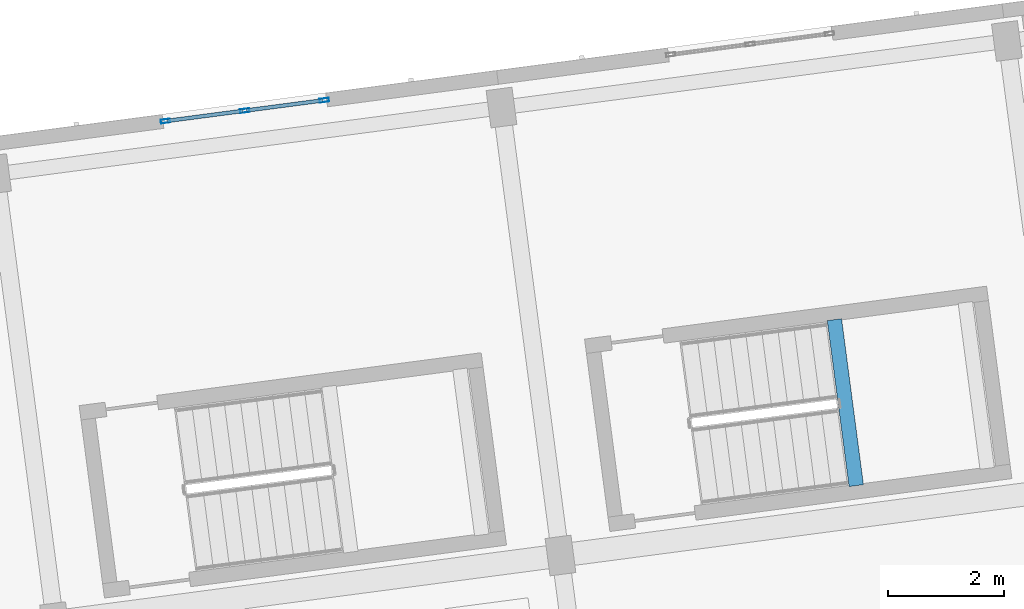
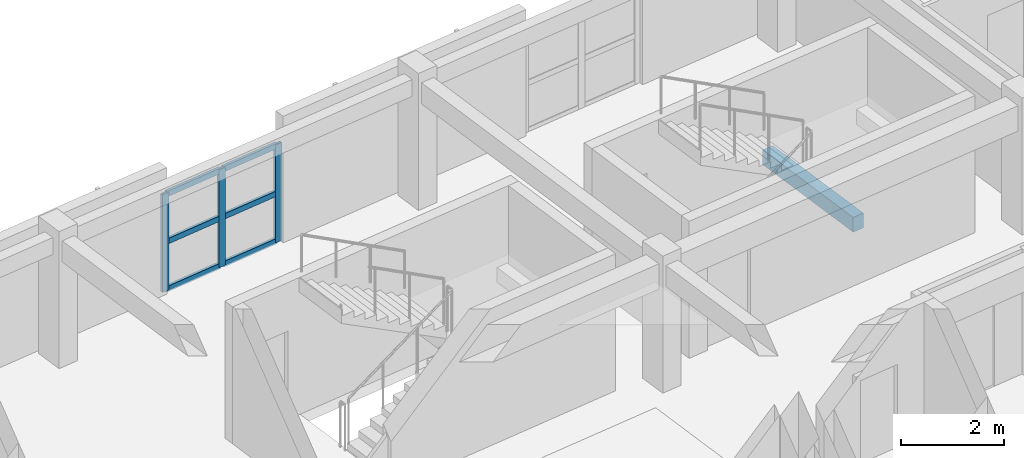
# One storey, part 4 of 31: 9 members, 1 beam, 1 element without a shape of its own.
"""IFC4 building model written with IfcOpenShell, lengths in metres."""

from ifc_helpers import new_model, si_unit, direction, frame, origin, origin_2d, place, context, subcontext, project, spatial, rectangle, hollow_rectangle, extrude, material, material_profile, profile_set, type_object, element, aggregate, save


model = new_model("IFC4")

# Units and contexts
model_context = context("Model", 3, precision=1e-05, world=origin(), true_north=direction((0.0, 1.0)))
body_context = subcontext(model_context, "Body", "Model", "MODEL_VIEW")
ifc_project = project(units=[si_unit("LENGTHUNIT", "METRE"), si_unit("AREAUNIT", "SQUARE_METRE"), si_unit("VOLUMEUNIT", "CUBIC_METRE"), si_unit("PLANEANGLEUNIT", "RADIAN"), si_unit("MASSUNIT", "GRAM", prefix="KILO")], contexts=[model_context])

# Site, building, storey
site_placement = place(None, origin())
site = spatial("IfcSite", under=ifc_project, at=site_placement, CompositionType="ELEMENT")
building_placement = place(site_placement, origin())
building = spatial("IfcBuilding", under=site, at=building_placement, Name="Kestramere Prow Commons", CompositionType="ELEMENT")
storey_placement = place(building_placement, frame((0.0, 0.0, 37.64990234375)))
storey = spatial("IfcBuildingStorey", under=building, at=storey_placement, Name="L11", CompositionType="ELEMENT", Elevation=37.64990234375)

# Beam
ifc_material_1 = material(Name="Concrete C40/50", Category="concrete")
ifc_material_profile_1 = material_profile(ifc_material_1, rectangle(XDim=0.25, YDim=0.35009765625, at=origin_2d()), Name="PC-BM 250x350")
ifc_profile_set_1 = profile_set([ifc_material_profile_1], Name="Concrete C40/50")
beam_type = type_object("IfcBeamType", Name="BM-ST-TRIM", PredefinedType="BEAM", material=ifc_profile_set_1)
beam_placement = place(storey_placement, frame((32.1630859375, 87.599609375, 1.25), z_axis=(-0.130509140242, 0.99144710616, 0.0), x_axis=(-0.99144710616, -0.130509140242, 0.0)))
element("IfcBeam", 1, at=beam_placement, inside=storey, type_object=beam_type, Name="ST-A2 L11 Landing Trimmer Beam 1A", PredefinedType="BEAM", context=body_context, shape_type="SweptSolid", body=[
    extrude(rectangle(XDim=0.25, YDim=0.35009765625, at=origin_2d()), origin(), (0.0, 0.0, 1.0), 2.89013671875),
])

# Curtain wall, members
ifc_material_2 = material(Name="Anodised Aluminium and Low-E Glass", Category="aluminium")
curtain_wall_type = type_object("IfcCurtainWallType", Name="CW-03 Glazed Curtain Wall 2830x2320", PredefinedType="USERDEFINED", material=ifc_material_2)
curtain_wall_placement = place(storey_placement, origin())
curtain_wall = element("IfcCurtainWall", 2, at=curtain_wall_placement, inside=storey, type_object=curtain_wall_type, Name="Block A L11 Stairwell Vertical Glazing 2", ObjectType="GLAZED CURTAIN WALL", PredefinedType="USERDEFINED")
ifc_material_3 = material(Name="Anodised Aluminium 6063-T6", Category="aluminium")
ifc_material_profile_2 = material_profile(ifc_material_3, hollow_rectangle(XDim=0.06494140625, YDim=0.159912109375, WallThickness=0.00390625, at=origin_2d()), Name="ALU-MUL 65x160")
ifc_profile_set_2 = profile_set([ifc_material_profile_2], Name="Anodised Aluminium 6063-T6")
member_type_1 = type_object("IfcMemberType", Name="CW-MUL-65x160", PredefinedType="MULLION", material=ifc_profile_set_2)
member_1_placement = place(storey_placement, frame((20.2373046875, 93.891845703125, 0.0), z_axis=(0.0, 0.0, 1.0), x_axis=(-0.13052614723, 0.991444867297, 0.0)))
member_1 = element("IfcMember", 3, at=member_1_placement, type_object=member_type_1, Name="CW-03 mullion 1", PredefinedType="MULLION", context=body_context, shape_type="SweptSolid", body=[
    extrude(hollow_rectangle(XDim=0.06494140625, YDim=0.159912109375, WallThickness=0.00390625, at=origin_2d()), origin(), (0.0, 0.0, 1.0), 2.320068359375),
])
member_2_placement = place(storey_placement, frame((21.60791015625, 94.072265625, 0.0), z_axis=(0.0, 0.0, 1.0), x_axis=(-0.13052614723, 0.991444867297, 0.0)))
member_2 = element("IfcMember", 4, at=member_2_placement, type_object=member_type_1, Name="CW-03 mullion 2", PredefinedType="MULLION", context=body_context, shape_type="SweptSolid", body=[
    extrude(hollow_rectangle(XDim=0.06494140625, YDim=0.159912109375, WallThickness=0.00390625, at=origin_2d()), origin(), (0.0, 0.0, 1.0), 2.320068359375),
])
member_3_placement = place(storey_placement, frame((22.978759765625, 94.252685546875, 0.0), z_axis=(0.0, 0.0, 1.0), x_axis=(-0.13052614723, 0.991444867297, 0.0)))
member_3 = element("IfcMember", 5, at=member_3_placement, type_object=member_type_1, Name="CW-03 mullion 3", PredefinedType="MULLION", context=body_context, shape_type="SweptSolid", body=[
    extrude(hollow_rectangle(XDim=0.06494140625, YDim=0.159912109375, WallThickness=0.00390625, at=origin_2d()), origin(), (0.0, 0.0, 1.0), 2.320068359375),
])
ifc_material_profile_3 = material_profile(ifc_material_3, hollow_rectangle(XDim=0.06494140625, YDim=0.1298828125, WallThickness=0.00390625, at=origin_2d()), Name="ALU-TRN 65x130")
ifc_profile_set_3 = profile_set([ifc_material_profile_3], Name="Anodised Aluminium 6063-T6")
member_type_2 = type_object("IfcMemberType", Name="CW-TRN-65x130", PredefinedType="USERDEFINED", material=ifc_profile_set_3)
member_4_placement = place(storey_placement, frame((20.26953125, 93.896240234375, 0.03271484375), z_axis=(0.991453033969, 0.130464100171, 0.0), x_axis=(-0.130464100171, 0.991453033969, 0.0)))
member_4 = element("IfcMember", 6, at=member_4_placement, type_object=member_type_2, Name="CW-03 transom 1.1", ObjectType="TRANSOM", PredefinedType="USERDEFINED", context=body_context, shape_type="SweptSolid", body=[
    extrude(hollow_rectangle(XDim=0.06494140625, YDim=0.1298828125, WallThickness=0.00390625, at=origin_2d()), origin(), (0.0, 0.0, 1.0), 1.3173828125),
])
member_5_placement = place(storey_placement, frame((20.26953125, 93.896240234375, 1.16015625), z_axis=(0.991453033969, 0.130464100171, 0.0), x_axis=(-0.130464100171, 0.991453033969, 0.0)))
member_5 = element("IfcMember", 7, at=member_5_placement, type_object=member_type_2, Name="CW-03 transom 1.2", ObjectType="TRANSOM", PredefinedType="USERDEFINED", context=body_context, shape_type="SweptSolid", body=[
    extrude(hollow_rectangle(XDim=0.06494140625, YDim=0.1298828125, WallThickness=0.00390625, at=origin_2d()), origin(), (0.0, 0.0, 1.0), 1.3173828125),
])
member_6_placement = place(storey_placement, frame((20.26953125, 93.896240234375, 2.28759765625), z_axis=(0.991453033969, 0.130464100171, 0.0), x_axis=(-0.130464100171, 0.991453033969, 0.0)))
member_6 = element("IfcMember", 8, at=member_6_placement, type_object=member_type_2, Name="CW-03 transom 1.3", ObjectType="TRANSOM", PredefinedType="USERDEFINED", context=body_context, shape_type="SweptSolid", body=[
    extrude(hollow_rectangle(XDim=0.06494140625, YDim=0.1298828125, WallThickness=0.00390625, at=origin_2d()), origin(), (0.0, 0.0, 1.0), 1.3173828125),
])
member_7_placement = place(storey_placement, frame((21.64013671875, 94.07666015625, 0.03271484375), z_axis=(0.991456187381, 0.130440133791, 0.0), x_axis=(-0.130440133791, 0.991456187381, 0.0)))
member_7 = element("IfcMember", 9, at=member_7_placement, type_object=member_type_2, Name="CW-03 transom 2.1", ObjectType="TRANSOM", PredefinedType="USERDEFINED", context=body_context, shape_type="SweptSolid", body=[
    extrude(hollow_rectangle(XDim=0.06494140625, YDim=0.1298828125, WallThickness=0.00390625, at=origin_2d()), origin(), (0.0, 0.0, 1.0), 1.317626953125),
])
member_8_placement = place(storey_placement, frame((21.64013671875, 94.07666015625, 1.16015625), z_axis=(0.991456187381, 0.130440133791, 0.0), x_axis=(-0.130440133791, 0.991456187381, 0.0)))
member_8 = element("IfcMember", 10, at=member_8_placement, type_object=member_type_2, Name="CW-03 transom 2.2", ObjectType="TRANSOM", PredefinedType="USERDEFINED", context=body_context, shape_type="SweptSolid", body=[
    extrude(hollow_rectangle(XDim=0.06494140625, YDim=0.1298828125, WallThickness=0.00390625, at=origin_2d()), origin(), (0.0, 0.0, 1.0), 1.317626953125),
])
member_9_placement = place(storey_placement, frame((21.64013671875, 94.07666015625, 2.28759765625), z_axis=(0.991456187381, 0.130440133791, 0.0), x_axis=(-0.130440133791, 0.991456187381, 0.0)))
member_9 = element("IfcMember", 11, at=member_9_placement, type_object=member_type_2, Name="CW-03 transom 2.3", ObjectType="TRANSOM", PredefinedType="USERDEFINED", context=body_context, shape_type="SweptSolid", body=[
    extrude(hollow_rectangle(XDim=0.06494140625, YDim=0.1298828125, WallThickness=0.00390625, at=origin_2d()), origin(), (0.0, 0.0, 1.0), 1.317626953125),
])
aggregate(curtain_wall, [member_1, member_2, member_3, member_4, member_5, member_6, member_7, member_8, member_9])

save(model, "model.ifc")
